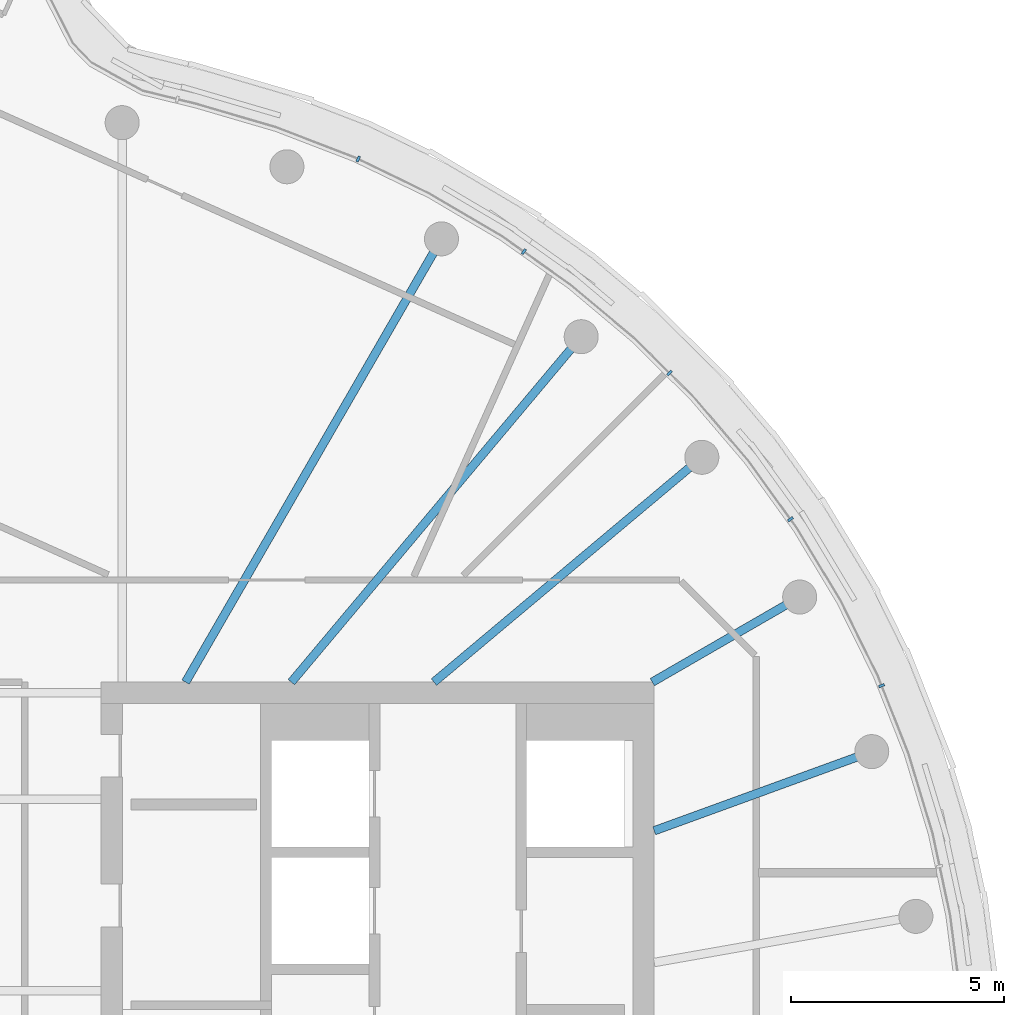
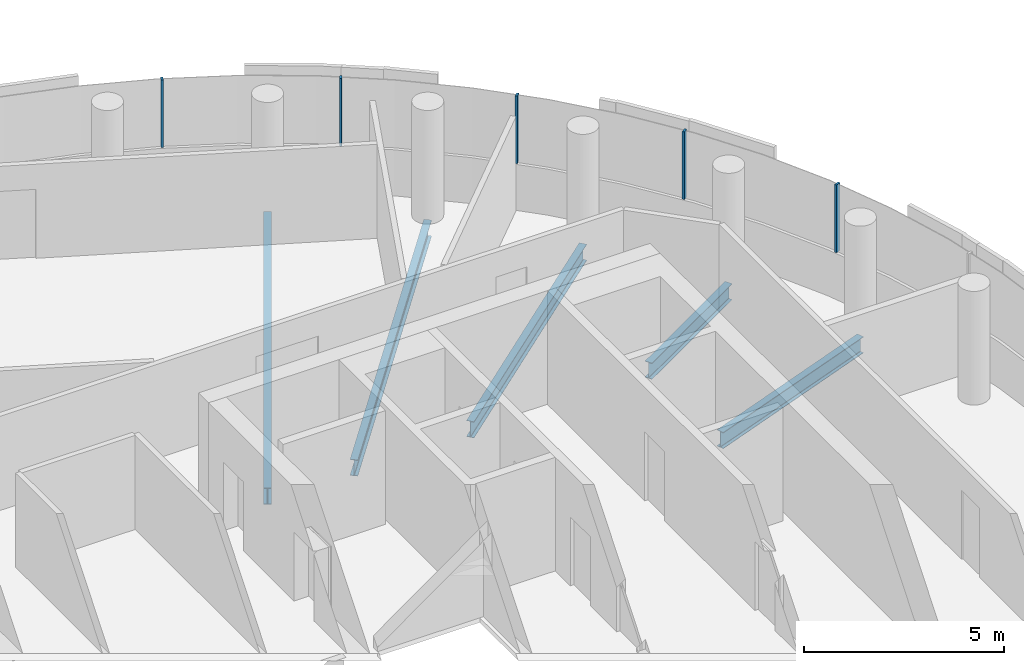
# One storey, part 11 of 21: 5 beams, 5 members, 1 element without a shape of its own.
"""IFC4 building model written with IfcOpenShell, lengths in metres."""

from ifc_helpers import new_model, si_unit, direction, frame, origin, origin_2d, place, context, subcontext, project, spatial, rectangle, i_section, extrude, material, layer, layer_set, material_profile, profile_set, type_object, element, aggregate, save


model = new_model("IFC4")

# Units and contexts
model_context = context("Model", 3, precision=1e-05, world=origin(), true_north=direction((0.0, 1.0)))
body_context = subcontext(model_context, "Body", "Model", "MODEL_VIEW")
ifc_project = project(units=[si_unit("LENGTHUNIT", "METRE"), si_unit("AREAUNIT", "SQUARE_METRE"), si_unit("VOLUMEUNIT", "CUBIC_METRE"), si_unit("PLANEANGLEUNIT", "RADIAN"), si_unit("MASSUNIT", "GRAM", prefix="KILO")], contexts=[model_context])

# Site, building, storey
site_placement = place(None, origin())
site = spatial("IfcSite", under=ifc_project, at=site_placement, CompositionType="ELEMENT")
building_placement = place(site_placement, origin())
building = spatial("IfcBuilding", under=site, at=building_placement, Name="Tamarind Cross Interchange Tower", CompositionType="ELEMENT")
storey_placement = place(building_placement, frame((0.0, 0.0, 271.199951171875)))
storey = spatial("IfcBuildingStorey", under=building, at=storey_placement, Name="L69", CompositionType="ELEMENT", Elevation=271.199951171875)

# Beams
ifc_material_1 = material(Name="Steel Q355B", Category="steel")
ifc_material_profile_1 = material_profile(ifc_material_1, i_section(OverallWidth=0.198974609375, OverallDepth=0.49609375, WebThickness=0.009033203125, FlangeThickness=0.013916015625, FilletRadius=0.012939453125, at=origin_2d()), Name="HN 496x199x9x14")
ifc_profile_set_1 = profile_set([ifc_material_profile_1], Name="Steel Q355B")
beam_type = type_object("IfcBeamType", Name="Composite beam HN 496x199x9x14 Q355B", PredefinedType="BEAM", material=ifc_profile_set_1)
beam_1_placement = place(storey_placement, frame((21.613037109375, 7.866455078125, -0.387939453125), z_axis=(-0.939701685589, -0.341995236956, 0.0), x_axis=(0.341995236956, -0.939701685589, 0.0)))
element("IfcBeam", 1, at=beam_1_placement, inside=storey, type_object=beam_type, Name="Beam HH02", PredefinedType="BEAM", context=body_context, shape_type="SweptSolid", body=[
    extrude(i_section(OverallWidth=0.198974609375, OverallDepth=0.49609375, WebThickness=0.009033203125, FlangeThickness=0.013916015625, FilletRadius=0.012939453125, at=origin_2d()), origin(), (0.0, 0.0, 1.0), 5.441162109375),
])
beam_2_placement = place(storey_placement, frame((19.918701171875, 11.5, -0.387939453125), z_axis=(-0.866026010844, -0.49999894854, 0.0), x_axis=(0.49999894854, -0.866026010844, 0.0)))
element("IfcBeam", 2, at=beam_2_placement, inside=storey, type_object=beam_type, Name="Beam HH03", PredefinedType="BEAM", context=body_context, shape_type="SweptSolid", body=[
    extrude(i_section(OverallWidth=0.198974609375, OverallDepth=0.49609375, WebThickness=0.009033203125, FlangeThickness=0.013916015625, FilletRadius=0.012939453125, at=origin_2d()), origin(), (0.0, 0.0, 1.0), 4.0),
])
beam_3_placement = place(storey_placement, frame((17.619140625, 14.7841796875, -0.387939453125), z_axis=(-0.766040580814, -0.642792212574, 0.0), x_axis=(0.642792212574, -0.766040580814, 0.0)))
element("IfcBeam", 3, at=beam_3_placement, inside=storey, type_object=beam_type, Name="Beam HH04", PredefinedType="BEAM", context=body_context, shape_type="SweptSolid", body=[
    extrude(i_section(OverallWidth=0.198974609375, OverallDepth=0.49609375, WebThickness=0.009033203125, FlangeThickness=0.013916015625, FilletRadius=0.012939453125, at=origin_2d()), origin(), (0.0, 0.0, 1.0), 8.220703125),
])
beam_4_placement = place(storey_placement, frame((14.7841796875, 17.619140625, -0.387939453125), z_axis=(-0.642786293979, -0.766045547127, 0.0), x_axis=(0.766045547127, -0.642786293979, 0.0)))
element("IfcBeam", 4, at=beam_4_placement, inside=storey, type_object=beam_type, Name="Beam HH05", PredefinedType="BEAM", context=body_context, shape_type="SweptSolid", body=[
    extrude(i_section(OverallWidth=0.198974609375, OverallDepth=0.49609375, WebThickness=0.009033203125, FlangeThickness=0.013916015625, FilletRadius=0.012939453125, at=origin_2d()), origin(), (0.0, 0.0, 1.0), 10.598876953125),
])
beam_5_placement = place(storey_placement, frame((11.5, 19.918701171875, -0.387939453125), z_axis=(-0.499993565836, -0.866029118519, 0.0), x_axis=(0.866029118519, -0.499993565836, 0.0)))
element("IfcBeam", 5, at=beam_5_placement, inside=storey, type_object=beam_type, Name="Beam HH06", PredefinedType="BEAM", context=body_context, shape_type="SweptSolid", body=[
    extrude(i_section(OverallWidth=0.198974609375, OverallDepth=0.49609375, WebThickness=0.009033203125, FlangeThickness=0.013916015625, FilletRadius=0.012939453125, at=origin_2d()), origin(), (0.0, 0.0, 1.0), 12.030517578125),
])

# Curtain wall, members
ifc_material_2 = material(Name="Aluminium 6063-T6", Category="aluminium")
ifc_layer = layer(ifc_material_2, 0.139892578125)
ifc_layer_set = layer_set([ifc_layer], Name="Aluminium 6063-T6")
curtain_wall_type = type_object("IfcCurtainWallType", Name="Hotel curtain wall, 4.5 m bays", PredefinedType="NOTDEFINED", material=ifc_layer_set)
curtain_wall_placement = place(storey_placement, origin())
curtain_wall = element("IfcCurtainWall", 6, at=curtain_wall_placement, inside=storey, type_object=curtain_wall_type, Name="CWS-L69-01", PredefinedType="NOTDEFINED")
ifc_material_profile_2 = material_profile(ifc_material_2, rectangle(XDim=0.06005859375, YDim=0.139892578125, at=origin_2d()), Name="Mullion CW2")
ifc_profile_set_2 = profile_set([ifc_material_profile_2], Name="Aluminium 6063-T6")
member_type = type_object("IfcMemberType", Name="Mullion CW2", PredefinedType="MULLION", material=ifc_profile_set_2)
member_1_placement = place(storey_placement, frame((21.84326171875, 9.417236328125, 1.400146484375), z_axis=(0.0, 0.0, 1.0), x_axis=(-0.367513773146, 0.930018078613, 0.0)))
member_1 = element("IfcMember", 7, at=member_1_placement, type_object=member_type, Name="CWM-L69-01-24", PredefinedType="MULLION", context=body_context, shape_type="SweptSolid", body=[
    extrude(rectangle(XDim=0.06005859375, YDim=0.139892578125, at=origin_2d()), origin(), (0.0, 0.0, 1.0), 2.059814453125),
])
member_2_placement = place(storey_placement, frame((19.700927734375, 13.328125, 1.400146484375), z_axis=(0.0, 0.0, 1.0), x_axis=(-0.584573890505, 0.811340475102, 0.0)))
member_2 = element("IfcMember", 8, at=member_2_placement, type_object=member_type, Name="CWM-L69-01-25", PredefinedType="MULLION", context=body_context, shape_type="SweptSolid", body=[
    extrude(rectangle(XDim=0.06005859375, YDim=0.139892578125, at=origin_2d()), origin(), (0.0, 0.0, 1.0), 2.059814453125),
])
member_3_placement = place(storey_placement, frame((16.859619140625, 16.7646484375, 1.400146484375), z_axis=(0.0, 0.0, 1.0), x_axis=(-0.710143317658, 0.704057148523, 0.0)))
member_3 = element("IfcMember", 9, at=member_3_placement, type_object=member_type, Name="CWM-L69-01-26", PredefinedType="MULLION", context=body_context, shape_type="SweptSolid", body=[
    extrude(rectangle(XDim=0.06005859375, YDim=0.139892578125, at=origin_2d()), origin(), (0.0, 0.0, 1.0), 2.059814453125),
])
member_4_placement = place(storey_placement, frame((13.4345703125, 19.619384765625, 1.400146484375), z_axis=(0.0, 0.0, 1.0), x_axis=(-0.816341886298, 0.577568978284, 0.0)))
member_4 = element("IfcMember", 10, at=member_4_placement, type_object=member_type, Name="CWM-L69-01-27", PredefinedType="MULLION", context=body_context, shape_type="SweptSolid", body=[
    extrude(rectangle(XDim=0.06005859375, YDim=0.139892578125, at=origin_2d()), origin(), (0.0, 0.0, 1.0), 2.059814453125),
])
member_5_placement = place(storey_placement, frame((9.541748046875, 21.79541015625, 1.400146484375), z_axis=(0.0, 0.0, 1.0), x_axis=(-0.900272776334, 0.435326231914, 0.0)))
member_5 = element("IfcMember", 11, at=member_5_placement, type_object=member_type, Name="CWM-L69-01-28", PredefinedType="MULLION", context=body_context, shape_type="SweptSolid", body=[
    extrude(rectangle(XDim=0.06005859375, YDim=0.139892578125, at=origin_2d()), origin(), (0.0, 0.0, 1.0), 2.059814453125),
])
aggregate(curtain_wall, [member_1, member_2, member_3, member_4, member_5])

save(model, "model.ifc")
